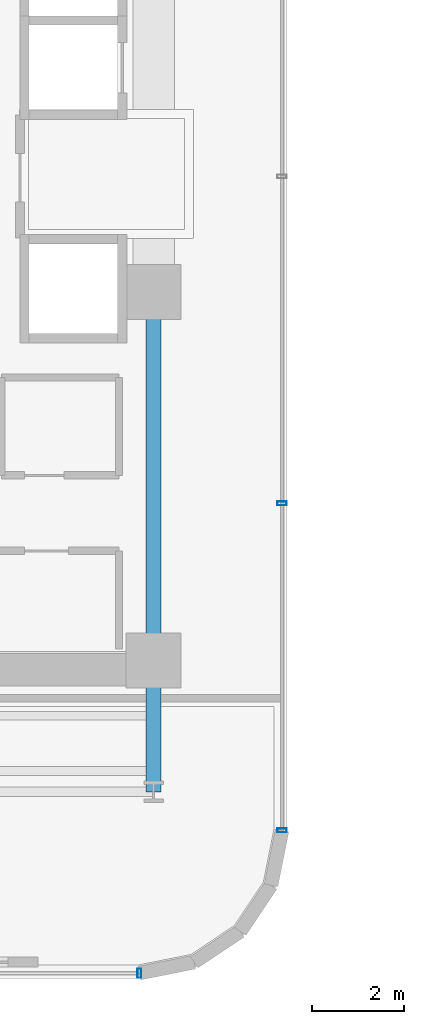
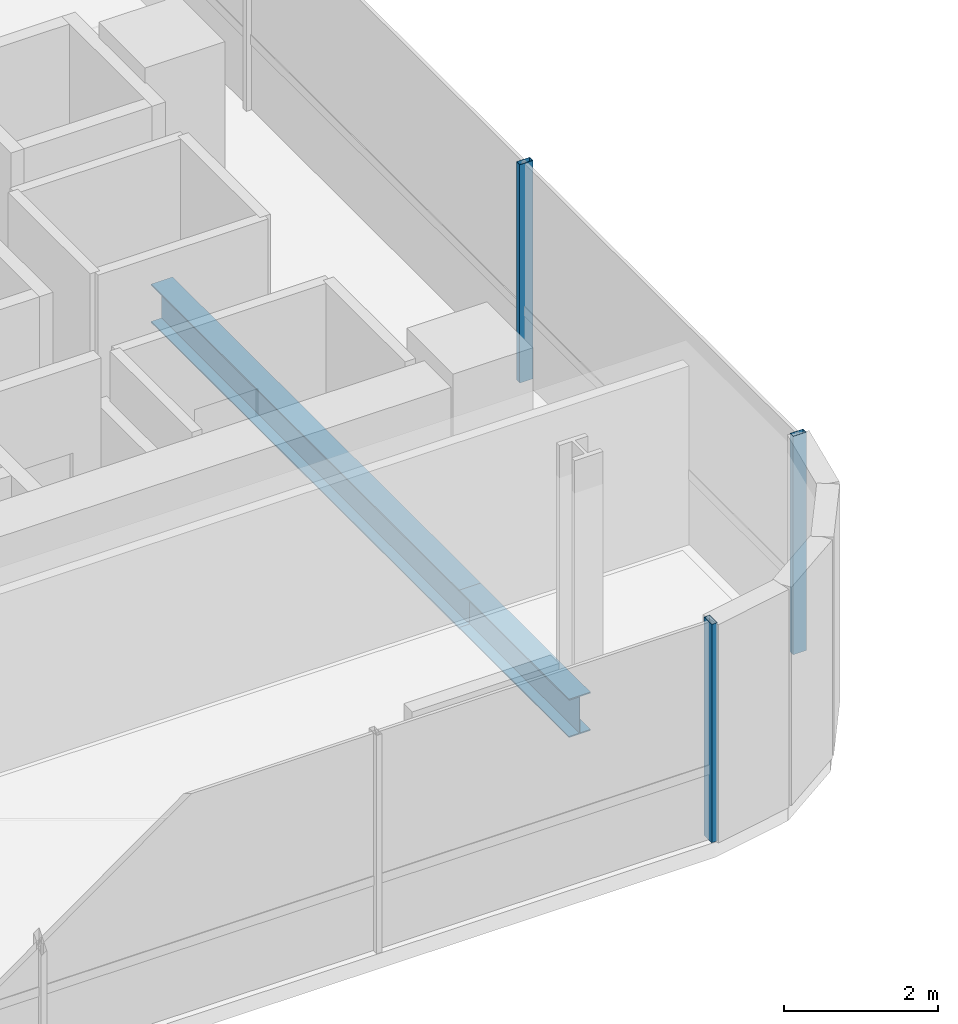
# One storey, part 5 of 34: 3 members, 2 beams, 2 elements without a shape of their own.
"""IFC4 building model written with IfcOpenShell, lengths in metres."""

from ifc_helpers import new_model, si_unit, direction, frame, origin, origin_2d, place, context, subcontext, project, spatial, hollow_rectangle, i_section, extrude, source, transform, mapped, material, material_profile, profile_set, type_object, element, aggregate, save


model = new_model("IFC4")

# Units and contexts
model_context = context("Model", 3, precision=1e-05, world=origin(), true_north=direction((0.0, 1.0)))
body_context = subcontext(model_context, "Body", "Model", "MODEL_VIEW")
ifc_project = project(units=[si_unit("LENGTHUNIT", "METRE"), si_unit("AREAUNIT", "SQUARE_METRE"), si_unit("VOLUMEUNIT", "CUBIC_METRE"), si_unit("PLANEANGLEUNIT", "RADIAN"), si_unit("MASSUNIT", "GRAM", prefix="KILO")], contexts=[model_context])

# Site, building, storey
site_placement = place(None, origin())
site = spatial("IfcSite", under=ifc_project, at=site_placement, CompositionType="ELEMENT")
building_placement = place(site_placement, origin())
building = spatial("IfcBuilding", under=site, at=building_placement, Name="Valdorenza Pilgrim Sanctuary Tower", CompositionType="ELEMENT")
storey_placement = place(building_placement, frame((0.0, 0.0, 142.699951171875)))
storey = spatial("IfcBuildingStorey", under=building, at=storey_placement, Name="L36", CompositionType="ELEMENT", Elevation=142.699951171875)

# Beams
ifc_material_1 = material(Name="Steel ASTM A992 Grade 50", Category="steel")
ifc_material_profile_1 = material_profile(ifc_material_1, i_section(OverallWidth=0.323974609375, OverallDepth=0.611083984375, WebThickness=0.0126953125, FlangeThickness=0.01904296875, at=origin_2d()), Name="W24X104")
ifc_profile_set_1 = profile_set([ifc_material_profile_1], Name="Steel ASTM A992 Grade 50")
beam_type = type_object("IfcBeamType", Name="STR-BM-GRD-W24B", PredefinedType="BEAM", material=ifc_profile_set_1)
shared_shape_1 = source(origin(), body_context, "Body", "SweptSolid", [
    extrude(i_section(OverallWidth=0.323974609375, OverallDepth=0.611083984375, WebThickness=0.0126953125, FlangeThickness=0.01904296875, at=origin_2d()), origin(), (0.0, 0.0, 1.0), 8.0),
])
beam_1_placement = place(storey_placement, frame((-12.39990234375, -10.60009765625, -0.54541015625), z_axis=(0.0, 1.0, 0.0), x_axis=(-1.0, 0.0, 0.0)))
element("IfcBeam", 1, at=beam_1_placement, inside=storey, type_object=beam_type, Name="L36 Core Tie Girder CA-E-S1M0", PredefinedType="BEAM", context=body_context, shape_type="MappedRepresentation", body=[
    mapped(shared_shape_1, transform((0.0, 0.0, 0.0), x_axis=(1.0, 0.0, 0.0), y_axis=(0.0, 1.0, 0.0), z_axis=(0.0, 0.0, 1.0), scale=1.0)),
])
shared_shape_2 = source(origin(), body_context, "Body", "SweptSolid", [
    extrude(i_section(OverallWidth=0.323974609375, OverallDepth=0.611083984375, WebThickness=0.0126953125, FlangeThickness=0.01904296875, at=origin_2d()), origin(), (0.0, 0.0, 1.0), 2.849853515625),
])
beam_2_placement = place(storey_placement, frame((-12.39990234375, -13.449951171875, -0.54541015625), z_axis=(0.0, 1.0, 0.0), x_axis=(-1.0, 0.0, 0.0)))
element("IfcBeam", 2, at=beam_2_placement, inside=storey, type_object=beam_type, Name="L36 Floor Girder WA-S-LE", PredefinedType="BEAM", context=body_context, shape_type="MappedRepresentation", body=[
    mapped(shared_shape_2, transform((0.0, 0.0, 0.0), x_axis=(1.0, 0.0, 0.0), y_axis=(0.0, 1.0, 0.0), z_axis=(0.0, 0.0, 1.0), scale=1.0)),
])

# Curtain wall, members
ifc_material_2 = material(Name="Curtain-wall IGU glazing", Category="glass")
curtain_wall_type = type_object("IfcCurtainWallType", Name="CW-SYS-02", PredefinedType="NOTDEFINED", material=ifc_material_2)
curtain_wall_1_placement = place(storey_placement, origin())
curtain_wall_1 = element("IfcCurtainWall", 3, at=curtain_wall_1_placement, inside=storey, type_object=curtain_wall_type, Name="L36 Curtain Wall CW-L36-1-41", PredefinedType="NOTDEFINED")
ifc_material_3 = material(Name="Anodised aluminium AW-6060", Category="aluminium")
ifc_material_profile_2 = material_profile(ifc_material_3, hollow_rectangle(XDim=0.0849609375, YDim=0.199951171875, WallThickness=0.0048828125, at=origin_2d()), Name="ALU-M 200x85x5")
ifc_profile_set_2 = profile_set([ifc_material_profile_2], Name="Anodised aluminium AW-6060")
member_type = type_object("IfcMemberType", Name="CW-MUL-02", PredefinedType="MULLION", material=ifc_profile_set_2)
shared_shape_3 = source(origin(), body_context, "Body", "SweptSolid", [
    extrude(hollow_rectangle(XDim=0.0849609375, YDim=0.199951171875, WallThickness=0.0048828125, at=origin_2d()), origin(), (0.0, 0.0, 1.0), 3.4599609375),
])
member_1_placement = place(storey_placement, frame((-9.610107421875, -7.189208984375, 0.0), z_axis=(0.0, 0.0, 1.0), x_axis=(0.0, -1.0, 0.0)))
member_1 = element("IfcMember", 4, at=member_1_placement, type_object=member_type, Name="CW-L36-1-41 Mullion 3", PredefinedType="MULLION", context=body_context, shape_type="MappedRepresentation", body=[
    mapped(shared_shape_3, transform((0.0, 0.0, 0.0), x_axis=(1.0, 0.0, 0.0), y_axis=(0.0, 1.0, 0.0), z_axis=(0.0, 0.0, 1.0), scale=1.0)),
])
member_2_placement = place(storey_placement, frame((-9.610107421875, -14.289306640625, 0.0), z_axis=(0.0, 0.0, 1.0), x_axis=(0.0, -1.0, 0.0)))
member_2 = element("IfcMember", 5, at=member_2_placement, type_object=member_type, Name="CW-L36-1-41 Mullion 4", PredefinedType="MULLION", context=body_context, shape_type="MappedRepresentation", body=[
    mapped(shared_shape_3, transform((0.0, 0.0, 0.0), x_axis=(1.0, 0.0, 0.0), y_axis=(0.0, 1.0, 0.0), z_axis=(0.0, 0.0, 1.0), scale=1.0)),
])
aggregate(curtain_wall_1, [member_1, member_2])

# Curtain wall, member
curtain_wall_2_placement = place(storey_placement, origin())
curtain_wall_2 = element("IfcCurtainWall", 6, at=curtain_wall_2_placement, inside=storey, type_object=curtain_wall_type, Name="L36 Curtain Wall CW-L36-1-46", PredefinedType="NOTDEFINED")
member_3_placement = place(storey_placement, frame((-12.710693359375, -17.389892578125, 0.0), z_axis=(0.0, 0.0, 1.0), x_axis=(-1.0, 0.0, 0.0)))
member_3 = element("IfcMember", 7, at=member_3_placement, type_object=member_type, Name="CW-L36-1-46 Mullion 1", PredefinedType="MULLION", context=body_context, shape_type="MappedRepresentation", body=[
    mapped(shared_shape_3, transform((0.0, 0.0, 0.0), x_axis=(1.0, 0.0, 0.0), y_axis=(0.0, 1.0, 0.0), z_axis=(0.0, 0.0, 1.0), scale=1.0)),
])
aggregate(curtain_wall_2, [member_3])

save(model, "model.ifc")
